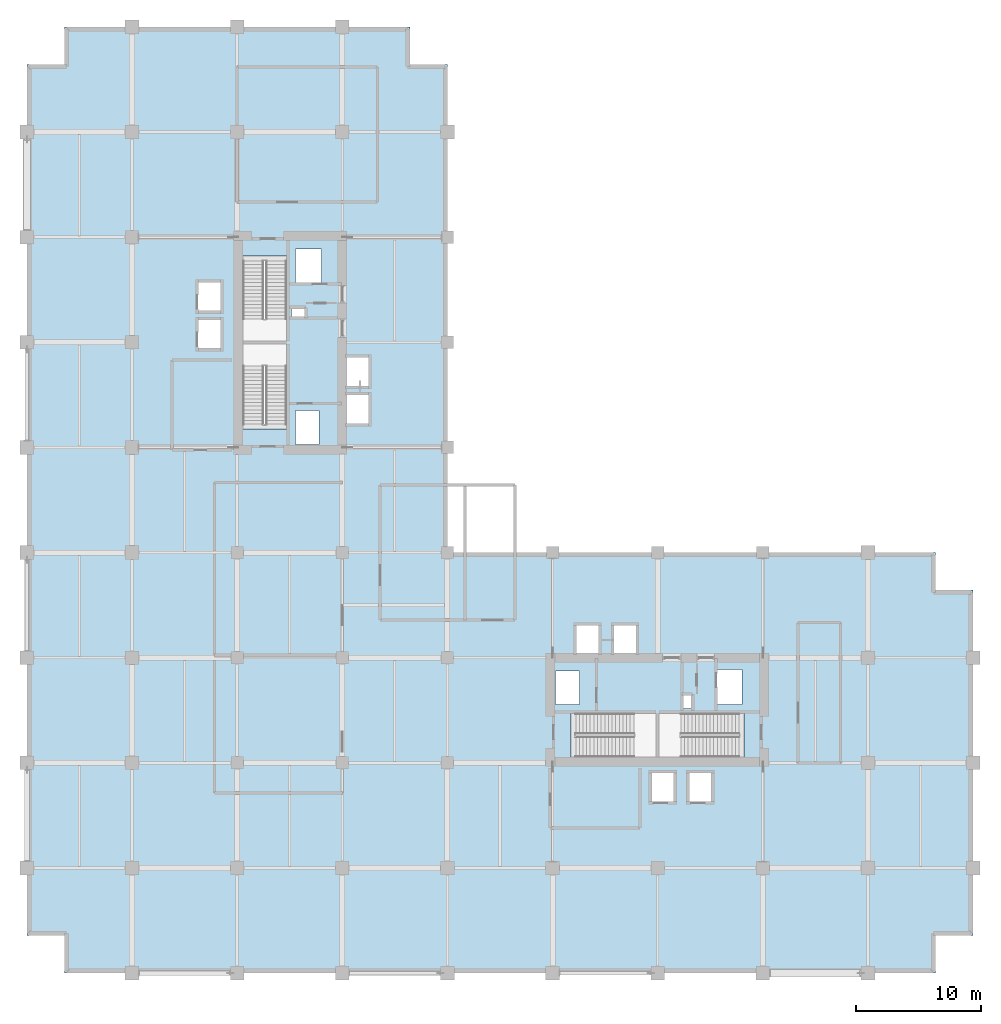
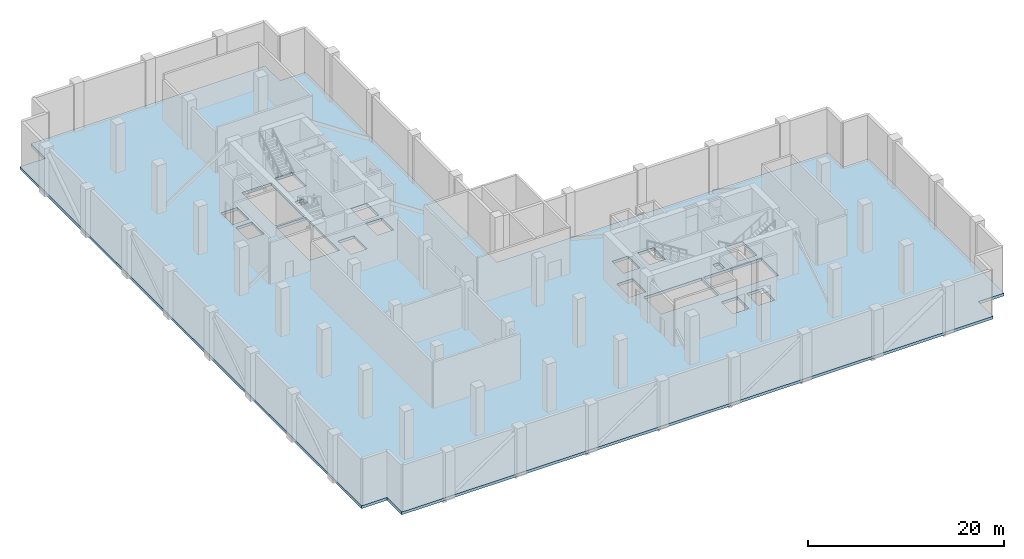
# One storey, part 4 of 16: 1 slab.
"""IFC4 building model written with IfcOpenShell, lengths in metres."""

from ifc_helpers import new_model, si_unit, direction, frame, origin, place, context, subcontext, project, spatial, polyline, outline, extrude, material, layer, layer_set, type_object, element, save


model = new_model("IFC4")

# Units and contexts
model_context = context("Model", 3, precision=1e-05, world=origin(), true_north=direction((0.0, 1.0)))
body_context = subcontext(model_context, "Body", "Model", "MODEL_VIEW")
ifc_project = project(units=[si_unit("LENGTHUNIT", "METRE"), si_unit("AREAUNIT", "SQUARE_METRE"), si_unit("VOLUMEUNIT", "CUBIC_METRE"), si_unit("PLANEANGLEUNIT", "RADIAN"), si_unit("MASSUNIT", "GRAM", prefix="KILO")], contexts=[model_context])

# Site, building, storey
site_placement = place(None, origin())
site = spatial("IfcSite", under=ifc_project, at=site_placement, CompositionType="ELEMENT")
building_placement = place(site_placement, origin())
building = spatial("IfcBuilding", under=site, at=building_placement, Name="Koriwani Terraces Tower", CompositionType="ELEMENT")
storey_placement = place(building_placement, frame((0.0, 0.0, 162.0)))
storey = spatial("IfcBuildingStorey", under=building, at=storey_placement, Name="L39", CompositionType="ELEMENT", Elevation=162.0)

# Slab
ifc_material = material(Name="Concrete C50/60", Category="concrete")
ifc_layer = layer(ifc_material, 0.35009765625, Name="Concrete C50/60")
ifc_layer_set = layer_set([ifc_layer], Name="Concrete C50/60")
slab_type = type_object("IfcSlabType", Name="SLAB_PODIUM_350", PredefinedType="FLOOR", material=ifc_layer_set)
slab_placement = place(storey_placement, frame((0.0, 0.0, -0.35009765625)))
element("IfcSlab", 1, at=slab_placement, inside=storey, type_object=slab_type, Name="L39 Structural Floor Slab", PredefinedType="FLOOR", context=body_context, shape_type="SweptSolid", body=[
    extrude(outline(polyline([(3.0, 0.0), (72.60009765625, 0.0), (72.60009765625, 3.0), (75.60009765625, 3.0), (75.60009765625, 30.60009765625), (72.60009765625, 30.60009765625), (72.60009765625, 33.60009765625), (33.60009765625, 33.60009765625), (33.60009765625, 72.60009765625), (30.60009765625, 72.60009765625), (30.60009765625, 75.60009765625), (3.0, 75.60009765625), (3.0, 72.60009765625), (0.0, 72.60009765625), (0.0, 3.0), (3.0, 3.0), (3.0, 0.0)]), holes=[polyline([(17.25, 43.4599609375), (20.75, 43.4599609375), (20.75, 50.25), (17.25, 50.25), (17.25, 43.4599609375)]), polyline([(17.25, 50.5), (20.75, 50.5), (20.75, 57.2900390625), (17.25, 57.2900390625), (17.25, 50.5)]), polyline([(43.4599609375, 17.25), (50.25, 17.25), (50.25, 20.75), (43.4599609375, 20.75), (43.4599609375, 17.25)]), polyline([(50.5, 17.25), (57.2900390625, 17.25), (57.2900390625, 20.75), (50.5, 20.75), (50.5, 17.25)]), polyline([(13.64990234375, 49.85009765625), (15.550048828125, 49.85009765625), (15.550048828125, 52.25), (13.64990234375, 52.25), (13.64990234375, 49.85009765625)]), polyline([(13.64990234375, 52.85009765625), (15.550048828125, 52.85009765625), (15.550048828125, 55.25), (13.64990234375, 55.25), (13.64990234375, 52.85009765625)]), polyline([(49.85009765625, 13.64990234375), (51.75, 13.64990234375), (51.75, 16.050048828125), (49.85009765625, 16.050048828125), (49.85009765625, 13.64990234375)]), polyline([(52.85009765625, 13.64990234375), (54.75, 13.64990234375), (54.75, 16.050048828125), (52.85009765625, 16.050048828125), (52.85009765625, 13.64990234375)]), polyline([(25.449951171875, 43.85009765625), (27.35009765625, 43.85009765625), (27.35009765625, 46.25), (25.449951171875, 46.25), (25.449951171875, 43.85009765625)]), polyline([(25.449951171875, 46.85009765625), (27.35009765625, 46.85009765625), (27.35009765625, 49.25), (25.449951171875, 49.25), (25.449951171875, 46.85009765625)]), polyline([(43.85009765625, 25.449951171875), (45.75, 25.449951171875), (45.75, 27.85009765625), (43.85009765625, 27.85009765625), (43.85009765625, 25.449951171875)]), polyline([(46.85009765625, 25.449951171875), (48.75, 25.449951171875), (48.75, 27.85009765625), (46.85009765625, 27.85009765625), (46.85009765625, 25.449951171875)]), polyline([(21.449951171875, 55.050048828125), (23.550048828125, 55.050048828125), (23.550048828125, 57.85009765625), (21.449951171875, 57.85009765625), (21.449951171875, 55.050048828125)]), polyline([(55.050048828125, 21.449951171875), (57.14990234375, 21.449951171875), (57.14990234375, 24.25), (55.050048828125, 24.25), (55.050048828125, 21.449951171875)]), polyline([(21.449951171875, 42.25), (23.35009765625, 42.25), (23.35009765625, 44.949951171875), (21.449951171875, 44.949951171875), (21.449951171875, 42.25)]), polyline([(42.25, 21.449951171875), (44.14990234375, 21.449951171875), (44.14990234375, 24.14990234375), (42.25, 24.14990234375), (42.25, 21.449951171875)]), polyline([(21.14990234375, 52.419921875), (22.219970703125, 52.419921875), (22.219970703125, 53.179931640625), (21.14990234375, 53.179931640625), (21.14990234375, 52.419921875)]), polyline([(52.419921875, 21.14990234375), (53.179931640625, 21.14990234375), (53.179931640625, 22.219970703125), (52.419921875, 22.219970703125), (52.419921875, 21.14990234375)])]), origin(), (0.0, 0.0, 1.0), 0.35009765625),
])

save(model, "model.ifc")
